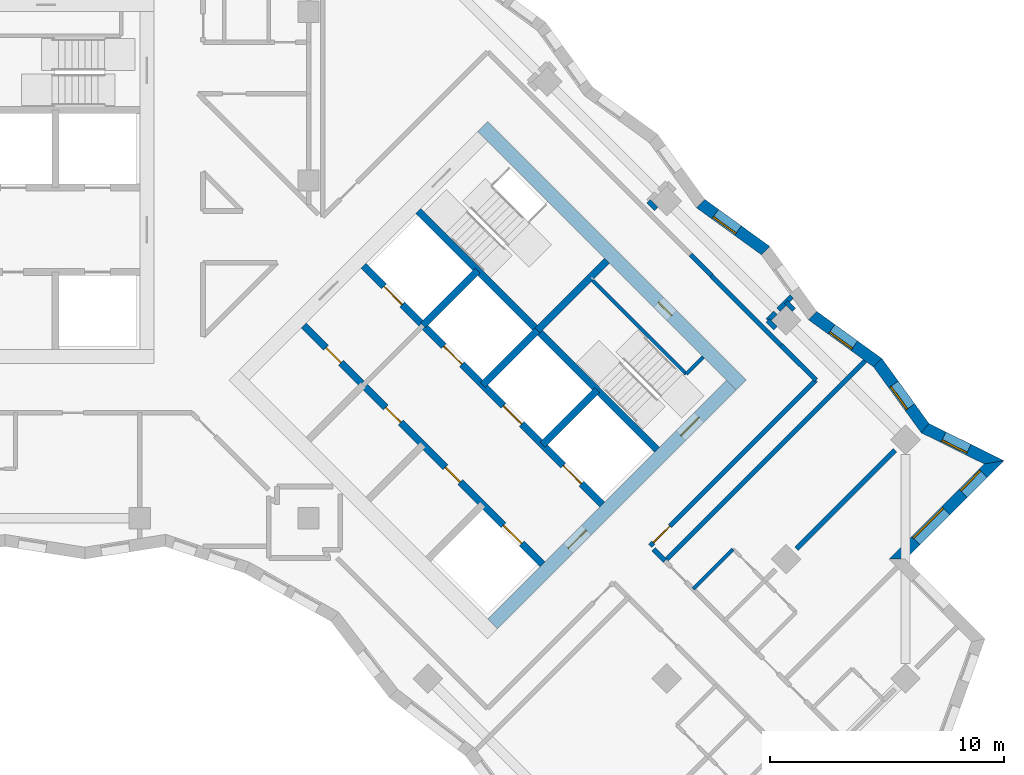
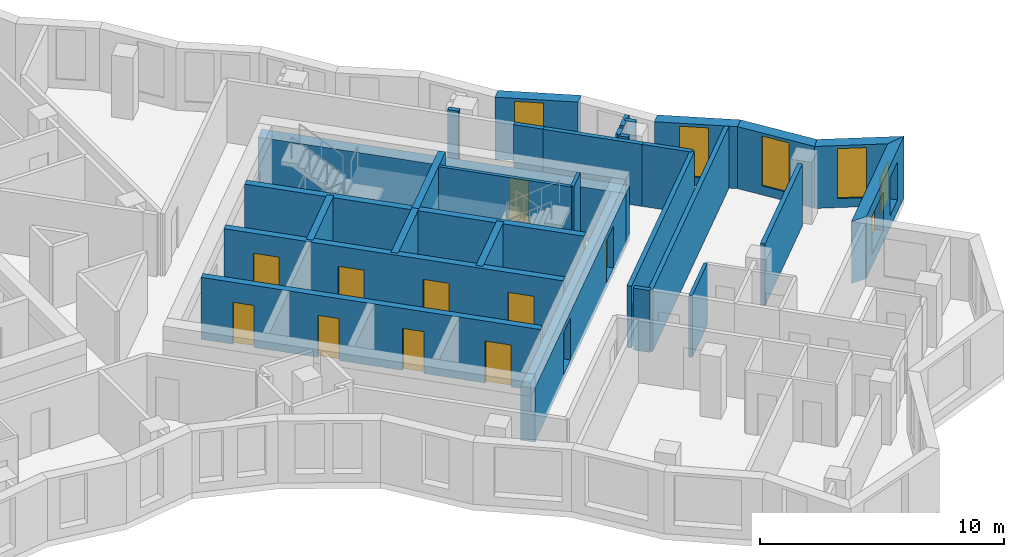
# One storey, part 9 of 12: 30 walls, 12 doors, 6 windows, 18 openings.
"""IFC4 building model written with IfcOpenShell, lengths in metres."""

from ifc_helpers import new_model, si_unit, direction, frame, frame_2d, origin, place, context, subcontext, project, spatial, polyline, rectangle, outline, extrude, material, layer, layer_set, type_object, element, fill, save


model = new_model("IFC4")

# Units and contexts
model_context = context("Model", 3, precision=1e-05, world=origin(), true_north=direction((0.0, 1.0)))
body_context = subcontext(model_context, "Body", "Model", "MODEL_VIEW")
ifc_project = project(units=[si_unit("LENGTHUNIT", "METRE"), si_unit("AREAUNIT", "SQUARE_METRE"), si_unit("VOLUMEUNIT", "CUBIC_METRE"), si_unit("PLANEANGLEUNIT", "RADIAN"), si_unit("MASSUNIT", "GRAM", prefix="KILO")], contexts=[model_context])

# Site, building, storey
site_placement = place(None, origin())
site = spatial("IfcSite", under=ifc_project, at=site_placement, CompositionType="ELEMENT")
building_placement = place(site_placement, origin())
building = spatial("IfcBuilding", under=site, at=building_placement, Name="Windrow Commons", CompositionType="ELEMENT")
storey_placement = place(building_placement, frame((0.0, 0.0, 162.6)))
storey = spatial("IfcBuildingStorey", under=building, at=storey_placement, Name="L44", CompositionType="ELEMENT", Elevation=162.6)

# Wall, openings, windows
ifc_material_1 = material(Name="Brick masonry, red clay brick", Category="masonry")
ifc_layer_1 = layer(ifc_material_1, 0.5)
ifc_layer_set_1 = layer_set([ifc_layer_1], Name="Brick facade wall 500")
wall_type_1 = type_object("IfcWallType", Name="Brick facade wall 500", PredefinedType="SOLIDWALL", material=ifc_layer_set_1)
wall_1_placement = place(storey_placement, frame((104.3022, 41.453, 0.0), z_axis=(0.0, 0.0, 1.0), x_axis=(0.7071153373, 0.707098225, 0.0)))
wall_1 = element("IfcWall", 1, at=wall_1_placement, inside=storey, type_object=wall_type_1, Name="Brick facade wall L44 6", PredefinedType="SOLIDWALL", context=body_context, shape_type="SweptSolid", body=[
    extrude(outline(polyline([(0.25, -0.25), (6.1921, -0.25), (5.4954, 0.25), (-0.25, 0.25), (0.25, -0.25)])), origin(), (0.0, 0.0, 1.0), 3.1),
])
opening_1_placement = place(wall_1_placement, frame((1.125, 0.0, 0.6)))
opening_1 = element("IfcOpeningElement", 2, at=opening_1_placement, cuts=wall_1, Name="Opening W1L", PredefinedType="OPENING", context=body_context, shape_type="SweptSolid", body=[
    extrude(rectangle(XDim=1.8, YDim=1.9, at=frame_2d((0.9, 0.95))), frame((0.0, 0.26, 0.0), z_axis=(0.0, -1.0, 0.0), x_axis=(1.0, 0.0, 0.0)), (0.0, 0.0, 1.0), 0.52),
])
opening_2_placement = place(wall_1_placement, frame((3.9727, 0.0, 0.6)))
opening_2 = element("IfcOpeningElement", 3, at=opening_2_placement, cuts=wall_1, Name="Opening W7G", PredefinedType="OPENING", context=body_context, shape_type="SweptSolid", body=[
    extrude(rectangle(XDim=1.2, YDim=1.9, at=frame_2d((0.6, 0.95))), frame((0.0, 0.26, 0.0), z_axis=(0.0, -1.0, 0.0), x_axis=(1.0, 0.0, 0.0)), (0.0, 0.0, 1.0), 0.52),
])
ifc_material_2 = material(Name="Clear float glass in anodised aluminium frame", Category="aluminium")
window_type_1 = type_object("IfcWindowType", Name="Window W1L bedroom 1800x1900", PartitioningType="SINGLE_PANEL", PredefinedType="WINDOW", material=ifc_material_2)
window_1_placement = place(opening_1_placement, origin())
window_1 = element("IfcWindow", 4, at=window_1_placement, inside=storey, type_object=window_type_1, Name="Window L44 6.1", OverallHeight=1.9, OverallWidth=1.8, PartitioningType="SINGLE_PANEL", PredefinedType="WINDOW", context=body_context, shape_type="SweptSolid", body=[
    extrude(rectangle(XDim=1.8, YDim=1.9, at=frame_2d((0.9, 0.95))), frame((0.0, 0.18, 0.0), z_axis=(0.0, -1.0, 0.0), x_axis=(1.0, 0.0, 0.0)), (0.0, 0.0, 1.0), 0.06),
])
fill(opening_1, window_1)
ifc_material_3 = material(Name="Clear float glass in anodised aluminium frame", Category="aluminium")
window_type_2 = type_object("IfcWindowType", Name="Window W7 notch 1200x1900", PartitioningType="SINGLE_PANEL", PredefinedType="WINDOW", material=ifc_material_3)
window_2_placement = place(opening_2_placement, origin())
window_2 = element("IfcWindow", 5, at=window_2_placement, inside=storey, type_object=window_type_2, Name="Window L44 6.2", OverallHeight=1.9, OverallWidth=1.2, PartitioningType="SINGLE_PANEL", PredefinedType="WINDOW", context=body_context, shape_type="SweptSolid", body=[
    extrude(rectangle(XDim=1.2, YDim=1.9, at=frame_2d((0.6, 0.95))), frame((0.0, 0.18, 0.0), z_axis=(0.0, -1.0, 0.0), x_axis=(1.0, 0.0, 0.0)), (0.0, 0.0, 1.0), 0.06),
])
fill(opening_2, window_2)

# Wall, opening, window
wall_2_placement = place(storey_placement, frame((108.4344, 45.5851, 0.0), z_axis=(0.0, 0.0, 1.0), x_axis=(-0.8962055872, 0.443638981, 0.0)))
wall_2 = element("IfcWall", 6, at=wall_2_placement, inside=storey, type_object=wall_type_1, Name="Brick facade wall L44 7", PredefinedType="SOLIDWALL", context=body_context, shape_type="SweptSolid", body=[
    extrude(outline(polyline([(-0.3483, -0.25), (3.2202, -0.25), (3.3438, 0.25), (0.3483, 0.25), (-0.3483, -0.25)])), origin(), (0.0, 0.0, 1.0), 3.1),
])
opening_3_placement = place(wall_2_placement, frame((1.2152, 0.0, 0.45)))
opening_3 = element("IfcOpeningElement", 7, at=opening_3_placement, cuts=wall_2, Name="Opening W7E", PredefinedType="OPENING", context=body_context, shape_type="SweptSolid", body=[
    extrude(rectangle(XDim=1.2, YDim=2.5, at=frame_2d((0.6, 1.25))), frame((0.0, 0.26, 0.0), z_axis=(0.0, -1.0, 0.0), x_axis=(1.0, 0.0, 0.0)), (0.0, 0.0, 1.0), 0.52),
])
ifc_material_4 = material(Name="Clear float glass in anodised aluminium frame", Category="aluminium")
window_type_3 = type_object("IfcWindowType", Name="Window W7 notch 1200x2500", PartitioningType="SINGLE_PANEL", PredefinedType="WINDOW", material=ifc_material_4)
window_3_placement = place(opening_3_placement, origin())
window_3 = element("IfcWindow", 8, at=window_3_placement, inside=storey, type_object=window_type_3, Name="Window L44 7.1", OverallHeight=2.5, OverallWidth=1.2, PartitioningType="SINGLE_PANEL", PredefinedType="WINDOW", context=body_context, shape_type="SweptSolid", body=[
    extrude(rectangle(XDim=1.2, YDim=2.5, at=frame_2d((0.6, 1.25))), frame((0.0, 0.18, 0.0), z_axis=(0.0, -1.0, 0.0), x_axis=(1.0, 0.0, 0.0)), (0.0, 0.0, 1.0), 0.06),
])
fill(opening_3, window_3)

wall_3_placement = place(storey_placement, frame((105.4931, 47.0411, 0.0), z_axis=(0.0, 0.0, 1.0), x_axis=(-0.5862701639, 0.8101156059, 0.0)))
wall_3 = element("IfcWall", 9, at=wall_3_placement, inside=storey, type_object=wall_type_1, Name="Brick facade wall L44 8", PredefinedType="SOLIDWALL", context=body_context, shape_type="SweptSolid", body=[
    extrude(outline(polyline([(0.0618, -0.25), (3.4858, -0.25), (3.4057, 0.25), (-0.0618, 0.25), (0.0618, -0.25)])), origin(), (0.0, 0.0, 1.0), 3.1),
])
opening_4_placement = place(wall_3_placement, frame((1.1028, 0.0, 0.45)))
opening_4 = element("IfcOpeningElement", 10, at=opening_4_placement, cuts=wall_3, Name="Opening W7E", PredefinedType="OPENING", context=body_context, shape_type="SweptSolid", body=[
    extrude(rectangle(XDim=1.2, YDim=2.5, at=frame_2d((0.6, 1.25))), frame((0.0, 0.26, 0.0), z_axis=(0.0, -1.0, 0.0), x_axis=(1.0, 0.0, 0.0)), (0.0, 0.0, 1.0), 0.52),
])
window_4_placement = place(opening_4_placement, origin())
window_4 = element("IfcWindow", 11, at=window_4_placement, inside=storey, type_object=window_type_3, Name="Window L44 8.1", OverallHeight=2.5, OverallWidth=1.2, PartitioningType="SINGLE_PANEL", PredefinedType="WINDOW", context=body_context, shape_type="SweptSolid", body=[
    extrude(rectangle(XDim=1.2, YDim=2.5, at=frame_2d((0.6, 1.25))), frame((0.0, 0.18, 0.0), z_axis=(0.0, -1.0, 0.0), x_axis=(1.0, 0.0, 0.0)), (0.0, 0.0, 1.0), 0.06),
])
fill(opening_4, window_4)

wall_4_placement = place(storey_placement, frame((103.473, 49.8325, 0.0), z_axis=(0.0, 0.0, 1.0), x_axis=(-0.8101205268, 0.586263364, 0.0)))
wall_4 = element("IfcWall", 12, at=wall_4_placement, inside=storey, type_object=wall_type_1, Name="Brick facade wall L44 9", PredefinedType="SOLIDWALL", context=body_context, shape_type="SweptSolid", body=[
    extrude(outline(polyline([(-0.0401, -0.25), (3.3839, -0.25), (3.4641, 0.25), (0.0401, 0.25), (-0.0401, -0.25)])), origin(), (0.0, 0.0, 1.0), 3.1),
])
opening_5_placement = place(wall_4_placement, frame((1.234, 0.0, 0.45)))
opening_5 = element("IfcOpeningElement", 13, at=opening_5_placement, cuts=wall_4, Name="Opening W7E", PredefinedType="OPENING", context=body_context, shape_type="SweptSolid", body=[
    extrude(rectangle(XDim=1.2, YDim=2.5, at=frame_2d((0.6, 1.25))), frame((0.0, 0.26, 0.0), z_axis=(0.0, -1.0, 0.0), x_axis=(1.0, 0.0, 0.0)), (0.0, 0.0, 1.0), 0.52),
])
window_5_placement = place(opening_5_placement, origin())
window_5 = element("IfcWindow", 14, at=window_5_placement, inside=storey, type_object=window_type_3, Name="Window L44 9.1", OverallHeight=2.5, OverallWidth=1.2, PartitioningType="SINGLE_PANEL", PredefinedType="WINDOW", context=body_context, shape_type="SweptSolid", body=[
    extrude(rectangle(XDim=1.2, YDim=2.5, at=frame_2d((0.6, 1.25))), frame((0.0, 0.18, 0.0), z_axis=(0.0, -1.0, 0.0), x_axis=(1.0, 0.0, 0.0)), (0.0, 0.0, 1.0), 0.06),
])
fill(opening_5, window_5)

wall_5_placement = place(storey_placement, frame((98.6918, 54.6138, 0.0), z_axis=(0.0, 0.0, 1.0), x_axis=(-0.8101343976, 0.5862441964, 0.0)))
wall_5 = element("IfcWall", 15, at=wall_5_placement, inside=storey, type_object=wall_type_1, Name="Brick facade wall L44 11", PredefinedType="SOLIDWALL", context=body_context, shape_type="SweptSolid", body=[
    extrude(outline(polyline([(-0.0401, -0.25), (3.3839, -0.25), (3.4641, 0.25), (0.0401, 0.25), (-0.0401, -0.25)])), origin(), (0.0, 0.0, 1.0), 3.1),
])
opening_6_placement = place(wall_5_placement, frame((1.4559, 0.0, 0.45)))
opening_6 = element("IfcOpeningElement", 16, at=opening_6_placement, cuts=wall_5, Name="Opening W7E", PredefinedType="OPENING", context=body_context, shape_type="SweptSolid", body=[
    extrude(rectangle(XDim=1.2, YDim=2.5, at=frame_2d((0.6, 1.25))), frame((0.0, 0.26, 0.0), z_axis=(0.0, -1.0, 0.0), x_axis=(1.0, 0.0, 0.0)), (0.0, 0.0, 1.0), 0.52),
])
window_6_placement = place(opening_6_placement, origin())
window_6 = element("IfcWindow", 17, at=window_6_placement, inside=storey, type_object=window_type_3, Name="Window L44 11.1", OverallHeight=2.5, OverallWidth=1.2, PartitioningType="SINGLE_PANEL", PredefinedType="WINDOW", context=body_context, shape_type="SweptSolid", body=[
    extrude(rectangle(XDim=1.2, YDim=2.5, at=frame_2d((0.6, 1.25))), frame((0.0, 0.18, 0.0), z_axis=(0.0, -1.0, 0.0), x_axis=(1.0, 0.0, 0.0)), (0.0, 0.0, 1.0), 0.06),
])
fill(opening_6, window_6)

# Wall, opening, door
ifc_material_5 = material(Name="Blockwork partition", Category="masonry")
ifc_layer_2 = layer(ifc_material_5, 0.2)
ifc_layer_set_2 = layer_set([ifc_layer_2], Name="IW-CORRIDOR-200")
wall_type_2 = type_object("IfcWallType", Name="IW-CORRIDOR-200", PredefinedType="PARTITIONING", material=ifc_layer_set_2)
wall_6_placement = place(storey_placement, frame((93.767, 42.021, 0.0), z_axis=(0.0, 0.0, 1.0), x_axis=(0.7071067812, 0.7071067812, 0.0)))
wall_6 = element("IfcWall", 18, at=wall_6_placement, inside=storey, type_object=wall_type_2, Name="W-L44-W012", PredefinedType="PARTITIONING", context=body_context, shape_type="SweptSolid", body=[
    extrude(rectangle(XDim=9.9985, YDim=0.2, at=frame_2d((4.9992, 0.0))), origin(), (0.0, 0.0, 1.0), 3.1),
])
opening_7_placement = place(wall_6_placement, frame((0.1964, 0.0, 0.0)))
opening_7 = element("IfcOpeningElement", 19, at=opening_7_placement, cuts=wall_6, Name="Opening D310F", PredefinedType="OPENING", context=body_context, shape_type="SweptSolid", body=[
    extrude(rectangle(XDim=1.0, YDim=2.1, at=frame_2d((0.5, 1.05))), frame((0.0, 0.11, 0.0), z_axis=(0.0, -1.0, 0.0), x_axis=(1.0, 0.0, 0.0)), (0.0, 0.0, 1.0), 0.22),
])
ifc_material_6 = material(Name="Timber door leaf", Category="wood")
door_type_1 = type_object("IfcDoorType", Name="DT-AMENITY-1000", OperationType="SINGLE_SWING_LEFT", PredefinedType="DOOR", material=ifc_material_6)
door_1_placement = place(opening_7_placement, origin())
door_1 = element("IfcDoor", 20, at=door_1_placement, inside=storey, type_object=door_type_1, Name="D-L44-D041", OperationType="SINGLE_SWING_LEFT", OverallHeight=2.1, OverallWidth=1.0, PredefinedType="DOOR", context=body_context, shape_type="SweptSolid", body=[
    extrude(rectangle(XDim=1.0, YDim=2.1, at=frame_2d((0.5, 1.05))), frame((0.0, 0.025, 0.0), z_axis=(0.0, -1.0, 0.0), x_axis=(1.0, 0.0, 0.0)), (0.0, 0.0, 1.0), 0.05),
])
fill(opening_7, door_1)

# Walls
wall_7_placement = place(storey_placement, frame((96.3794, 53.5414, 0.0), z_axis=(0.0, 0.0, 1.0), x_axis=(0.7071067812, -0.7071067812, 0.0)))
element("IfcWall", 21, at=wall_7_placement, inside=storey, type_object=wall_type_2, Name="W-L44-W040", PredefinedType="PARTITIONING", context=body_context, shape_type="SweptSolid", body=[
    extrude(rectangle(XDim=4.2002, YDim=0.2, at=frame_2d((2.1001, 0.0))), origin(), (0.0, 0.0, 1.0), 3.1),
])
wall_8_placement = place(storey_placement, frame((99.3517, 50.5737, 0.0), z_axis=(0.0, 0.0, 1.0), x_axis=(0.7075827869, -0.7066304548, 0.0)))
element("IfcWall", 22, at=wall_8_placement, inside=storey, type_object=wall_type_2, Name="W-L44-W112", PredefinedType="PARTITIONING", context=body_context, shape_type="SweptSolid", body=[
    extrude(rectangle(XDim=2.1001, YDim=0.2, at=frame_2d((1.05, 0.0))), origin(), (0.0, 0.0, 1.0), 3.1),
])
wall_9_placement = place(storey_placement, frame((95.4937, 54.4377, 0.0), z_axis=(0.0, 0.0, 1.0), x_axis=(0.706312726, -0.7078999456, 0.0)))
element("IfcWall", 23, at=wall_9_placement, inside=storey, type_object=wall_type_2, Name="W-L44-W138", PredefinedType="PARTITIONING", context=body_context, shape_type="SweptSolid", body=[
    extrude(rectangle(XDim=1.2601, YDim=0.2, at=frame_2d((0.63, 0.0))), origin(), (0.0, 0.0, 1.0), 3.1),
])
wall_10_placement = place(storey_placement, frame((93.9085, 41.8785, 0.0), z_axis=(0.0, 0.0, 1.0), x_axis=(0.7056768426, -0.7085338339, 0.0)))
element("IfcWall", 24, at=wall_10_placement, inside=storey, type_object=wall_type_2, Name="W-L44-W157", PredefinedType="PARTITIONING", context=body_context, shape_type="SweptSolid", body=[
    extrude(rectangle(XDim=0.7, YDim=0.2, at=frame_2d((0.35, 0.0))), origin(), (0.0, 0.0, 1.0), 3.1),
])
ifc_material_7 = material(Name="Blockwork partition", Category="masonry")
ifc_layer_3 = layer(ifc_material_7, 0.15)
ifc_layer_set_3 = layer_set([ifc_layer_3], Name="IW-ENSUITE-150")
wall_type_3 = type_object("IfcWallType", Name="IW-ENSUITE-150", PredefinedType="PARTITIONING", material=ifc_layer_set_3)
wall_11_placement = place(storey_placement, frame((95.6035, 40.1805, 0.0), z_axis=(0.0, 0.0, 1.0), x_axis=(0.7071067812, 0.7071067812, 0.0)))
element("IfcWall", 25, at=wall_11_placement, inside=storey, type_object=wall_type_3, Name="W-L44-W069", PredefinedType="PARTITIONING", context=body_context, shape_type="SweptSolid", body=[
    extrude(rectangle(XDim=2.4013, YDim=0.15, at=frame_2d((1.2006, 0.0))), origin(), (0.0, 0.0, 1.0), 3.1),
])
ifc_material_8 = material(Name="Blockwork partition", Category="masonry")
ifc_layer_4 = layer(ifc_material_8, 0.2)
ifc_layer_set_4 = layer_set([ifc_layer_4], Name="IW-PARTY-200")
wall_type_4 = type_object("IfcWallType", Name="IW-PARTY-200", PredefinedType="PARTITIONING", material=ifc_layer_set_4)
wall_12_placement = place(storey_placement, frame((94.4014, 41.3826, 0.0), z_axis=(0.0, 0.0, 1.0), x_axis=(0.7071067812, 0.7071067812, 0.0)))
element("IfcWall", 26, at=wall_12_placement, inside=storey, type_object=wall_type_4, Name="W-L44-W007", PredefinedType="PARTITIONING", context=body_context, shape_type="SweptSolid", body=[
    extrude(rectangle(XDim=12.0659, YDim=0.2, at=frame_2d((6.0329, 0.0))), origin(), (0.0, 0.0, 1.0), 3.1),
])
wall_13_placement = place(storey_placement, frame((100.013, 41.903, 0.0), z_axis=(0.0, 0.0, 1.0), x_axis=(0.7071067812, 0.7071067812, 0.0)))
element("IfcWall", 27, at=wall_13_placement, inside=storey, type_object=wall_type_4, Name="W-L44-W028", PredefinedType="PARTITIONING", context=body_context, shape_type="SweptSolid", body=[
    extrude(rectangle(XDim=5.9284, YDim=0.2, at=frame_2d((2.9642, 0.0))), origin(), (0.0, 0.0, 1.0), 3.1),
])
for number, where, z_axis, x_axis, name in (
    (28, (93.6925, 56.7225, 0.0), (0.0, 0.0, 1.0), (0.7092398187, -0.7049672897, 0.0), "W-L44-W183"),
    (29, (99.5696, 52.4176, 0.0), (0.0, 0.0, 1.0), (0.7092398187, -0.7049672897, 0.0), "W-L44-W184"),
    (30, (98.7837, 51.6317, 0.0), (0.0, 0.0, 1.0), (0.7049672897, -0.7092398187, 0.0), "W-L44-W185"),
):
    element("IfcWall", number, at=place(storey_placement, frame(where, z_axis=z_axis, x_axis=x_axis)), inside=storey, type_object=wall_type_4, Name=name, PredefinedType="PARTITIONING", context=body_context, shape_type="SweptSolid", body=[
        extrude(rectangle(XDim=0.4681, YDim=0.2, at=frame_2d((0.2341, 0.0))), origin(), (0.0, 0.0, 1.0), 3.1),
    ])
wall_14_placement = place(storey_placement, frame((98.7829, 51.6331, 0.0), z_axis=(0.0, 0.0, 1.0), x_axis=(0.7071067812, 0.7071067812, 0.0)))
element("IfcWall", 31, at=wall_14_placement, inside=storey, type_object=wall_type_4, Name="W-L44-W186", PredefinedType="PARTITIONING", context=body_context, shape_type="SweptSolid", body=[
    extrude(rectangle(XDim=0.4667, YDim=0.2, at=frame_2d((0.2334, 0.0))), origin(), (0.0, 0.0, 1.0), 3.1),
])
wall_15_placement = place(storey_placement, frame((99.2369, 52.0871, 0.0), z_axis=(0.0, 0.0, 1.0), x_axis=(0.7071067812, 0.7071067812, 0.0)))
element("IfcWall", 32, at=wall_15_placement, inside=storey, type_object=wall_type_4, Name="W-L44-W187", PredefinedType="PARTITIONING", context=body_context, shape_type="SweptSolid", body=[
    extrude(rectangle(XDim=0.7997, YDim=0.2, at=frame_2d((0.3998, 0.0))), origin(), (0.0, 0.0, 1.0), 3.1),
])

# Wall, opening, door
ifc_material_9 = material(Name="Concrete C50/60", Category="concrete")
ifc_layer_5 = layer(ifc_material_9, 0.6)
ifc_layer_set_5 = layer_set([ifc_layer_5], Name="RC CORE WALL 600 C50/60")
wall_type_5 = type_object("IfcWallType", Name="RC CORE WALL 600 C50/60", PredefinedType="SHEAR", material=ifc_layer_set_5)
wall_16_placement = place(storey_placement, frame((86.6246, 59.9085, -0.3), z_axis=(0.0, 0.0, 1.0), x_axis=(0.7071067812, -0.7071067812, 0.0)))
wall_16 = element("IfcWall", 33, at=wall_16_placement, inside=storey, type_object=wall_type_5, Name="Core B wall outer-N", PredefinedType="SHEAR", context=body_context, shape_type="SweptSolid", body=[
    extrude(rectangle(XDim=15.6, YDim=0.6, at=frame_2d((7.8, 0.0))), origin(), (0.0, 0.0, 1.0), 2.7),
])
opening_8_placement = place(wall_16_placement, frame((10.6, 0.0, 0.3)))
opening_8 = element("IfcOpeningElement", 34, at=opening_8_placement, cuts=wall_16, Name="Opening D9", PredefinedType="OPENING", context=body_context, shape_type="SweptSolid", body=[
    extrude(rectangle(XDim=0.8, YDim=2.1, at=frame_2d((0.4, 1.05))), frame((0.0, 0.31, 0.0), z_axis=(0.0, -1.0, 0.0), x_axis=(1.0, 0.0, 0.0)), (0.0, 0.0, 1.0), 0.62),
])
ifc_material_10 = material(Name="Steel fire door leaf", Category="steel")
door_type_2 = type_object("IfcDoorType", Name="Riser access door 800", OperationType="SINGLE_SWING_LEFT", PredefinedType="DOOR", material=ifc_material_10)
door_2_placement = place(opening_8_placement, origin())
door_2 = element("IfcDoor", 35, at=door_2_placement, inside=storey, type_object=door_type_2, Name="Riser access door", OperationType="SINGLE_SWING_RIGHT", OverallHeight=2.1, OverallWidth=0.8, PredefinedType="DOOR", context=body_context, shape_type="SweptSolid", body=[
    extrude(rectangle(XDim=0.8, YDim=2.1, at=frame_2d((0.4, 1.05))), frame((0.0, 0.025, 0.0), z_axis=(0.0, -1.0, 0.0), x_axis=(1.0, 0.0, 0.0)), (0.0, 0.0, 1.0), 0.05),
])
fill(opening_8, door_2)

# Wall, openings, doors
wall_17_placement = place(storey_placement, frame((87.0489, 38.6953, -0.3), z_axis=(0.0, 0.0, 1.0), x_axis=(0.7071067812, 0.7071067812, 0.0)))
wall_17 = element("IfcWall", 36, at=wall_17_placement, inside=storey, type_object=wall_type_5, Name="Core B wall outer-E", PredefinedType="SHEAR", context=body_context, shape_type="SweptSolid", body=[
    extrude(rectangle(XDim=14.3999, YDim=0.6, at=frame_2d((7.2, 0.0))), origin(), (0.0, 0.0, 1.0), 2.7),
])
opening_9_placement = place(wall_17_placement, frame((4.55, 0.0, 0.3)))
opening_9 = element("IfcOpeningElement", 37, at=opening_9_placement, cuts=wall_17, Name="Opening D6", PredefinedType="OPENING", context=body_context, shape_type="SweptSolid", body=[
    extrude(rectangle(XDim=1.1, YDim=2.1, at=frame_2d((0.55, 1.05))), frame((0.0, 0.31, 0.0), z_axis=(0.0, -1.0, 0.0), x_axis=(1.0, 0.0, 0.0)), (0.0, 0.0, 1.0), 0.62),
])
opening_10_placement = place(wall_17_placement, frame((11.35, 0.0, 0.3)))
opening_10 = element("IfcOpeningElement", 38, at=opening_10_placement, cuts=wall_17, Name="Opening D7", PredefinedType="OPENING", context=body_context, shape_type="SweptSolid", body=[
    extrude(rectangle(XDim=1.1, YDim=2.1, at=frame_2d((0.55, 1.05))), frame((0.0, 0.31, 0.0), z_axis=(0.0, -1.0, 0.0), x_axis=(1.0, 0.0, 0.0)), (0.0, 0.0, 1.0), 0.62),
])
ifc_material_11 = material(Name="Steel fire door leaf", Category="steel")
door_type_3 = type_object("IfcDoorType", Name="Core lobby door 1100", OperationType="SINGLE_SWING_LEFT", PredefinedType="DOOR", material=ifc_material_11)
door_3_placement = place(opening_9_placement, origin())
door_3 = element("IfcDoor", 39, at=door_3_placement, inside=storey, type_object=door_type_3, Name="Lift lobby door", OperationType="DOUBLE_DOOR_SINGLE_SWING", OverallHeight=2.1, OverallWidth=1.1, PredefinedType="DOOR", context=body_context, shape_type="SweptSolid", body=[
    extrude(rectangle(XDim=1.1, YDim=2.1, at=frame_2d((0.55, 1.05))), frame((0.0, 0.025, 0.0), z_axis=(0.0, -1.0, 0.0), x_axis=(1.0, 0.0, 0.0)), (0.0, 0.0, 1.0), 0.05),
])
fill(opening_9, door_3)
ifc_material_12 = material(Name="Steel fire door leaf", Category="steel")
door_type_4 = type_object("IfcDoorType", Name="Stair door 1100", OperationType="SINGLE_SWING_LEFT", PredefinedType="DOOR", material=ifc_material_12)
door_4_placement = place(opening_10_placement, origin())
door_4 = element("IfcDoor", 40, at=door_4_placement, inside=storey, type_object=door_type_4, Name="Stair door", OperationType="SINGLE_SWING_RIGHT", OverallHeight=2.1, OverallWidth=1.1, PredefinedType="DOOR", context=body_context, shape_type="SweptSolid", body=[
    extrude(rectangle(XDim=1.1, YDim=2.1, at=frame_2d((0.55, 1.05))), frame((0.0, 0.025, 0.0), z_axis=(0.0, -1.0, 0.0), x_axis=(1.0, 0.0, 0.0)), (0.0, 0.0, 1.0), 0.05),
])
fill(opening_10, door_4)

# Walls
ifc_material_13 = material(Name="Concrete C50/60", Category="concrete")
ifc_layer_6 = layer(ifc_material_13, 0.3)
ifc_layer_set_6 = layer_set([ifc_layer_6], Name="RC SHAFT WALL 300 C50/60")
wall_type_6 = type_object("IfcWallType", Name="RC SHAFT WALL 300 C50/60", PredefinedType="SOLIDWALL", material=ifc_layer_set_6)
wall_18_placement = place(storey_placement, frame((84.079, 51.4232, 0.0), z_axis=(0.0, 0.0, 1.0), x_axis=(0.7071219326, 0.7070916295, 0.0)))
element("IfcWall", 41, at=wall_18_placement, inside=storey, type_object=wall_type_6, Name="Core B wall shaft-N1", PredefinedType="SOLIDWALL", context=body_context, shape_type="SweptSolid", body=[
    extrude(rectangle(XDim=3.3, YDim=0.3, at=frame_2d((1.65, 0.0))), origin(), (0.0, 0.0, 1.0), 3.1),
])
for number, where, z_axis, x_axis, name in (
    (42, (86.6246, 48.8776, 0.0), (0.0, 0.0, 1.0), (0.7071067812, 0.7071067812, 0.0), "Core B wall shaft-N2"),
    (43, (89.1702, 46.332, 0.0), (0.0, 0.0, 1.0), (0.7071067812, 0.7071067812, 0.0), "Core B wall shaft-N3"),
):
    element("IfcWall", number, at=place(storey_placement, frame(where, z_axis=z_axis, x_axis=x_axis)), inside=storey, type_object=wall_type_6, Name=name, PredefinedType="SOLIDWALL", context=body_context, shape_type="SweptSolid", body=[
        extrude(rectangle(XDim=3.3001, YDim=0.3, at=frame_2d((1.6501, 0.0))), origin(), (0.0, 0.0, 1.0), 3.1),
    ])

# Wall, openings, doors
wall_19_placement = place(storey_placement, frame((78.9879, 51.4232, 0.0), z_axis=(0.0, 0.0, 1.0), x_axis=(0.7071067812, -0.7071067812, 0.0)))
wall_19 = element("IfcWall", 44, at=wall_19_placement, inside=storey, type_object=wall_type_6, Name="Core B wall lobby-S", PredefinedType="SOLIDWALL", context=body_context, shape_type="SweptSolid", body=[
    extrude(rectangle(XDim=14.3999, YDim=0.3, at=frame_2d((7.2, 0.0))), origin(), (0.0, 0.0, 1.0), 3.1),
])
opening_11_placement = place(wall_19_placement, frame((1.35, 0.0, 0.0)))
opening_11 = element("IfcOpeningElement", 45, at=opening_11_placement, cuts=wall_19, Name="Opening D8", PredefinedType="OPENING", context=body_context, shape_type="SweptSolid", body=[
    extrude(rectangle(XDim=0.9, YDim=2.1, at=frame_2d((0.45, 1.05))), frame((0.0, 0.16, 0.0), z_axis=(0.0, -1.0, 0.0), x_axis=(1.0, 0.0, 0.0)), (0.0, 0.0, 1.0), 0.32),
])
opening_12_placement = place(wall_19_placement, frame((4.95, 0.0, 0.0)))
opening_12 = element("IfcOpeningElement", 46, at=opening_12_placement, cuts=wall_19, Name="Opening D8", PredefinedType="OPENING", context=body_context, shape_type="SweptSolid", body=[
    extrude(rectangle(XDim=0.9, YDim=2.1, at=frame_2d((0.45, 1.05))), frame((0.0, 0.16, 0.0), z_axis=(0.0, -1.0, 0.0), x_axis=(1.0, 0.0, 0.0)), (0.0, 0.0, 1.0), 0.32),
])
opening_13_placement = place(wall_19_placement, frame((8.55, 0.0, 0.0)))
opening_13 = element("IfcOpeningElement", 47, at=opening_13_placement, cuts=wall_19, Name="Opening D8", PredefinedType="OPENING", context=body_context, shape_type="SweptSolid", body=[
    extrude(rectangle(XDim=0.9, YDim=2.1, at=frame_2d((0.45, 1.05))), frame((0.0, 0.16, 0.0), z_axis=(0.0, -1.0, 0.0), x_axis=(1.0, 0.0, 0.0)), (0.0, 0.0, 1.0), 0.32),
])
opening_14_placement = place(wall_19_placement, frame((12.05, 0.0, 0.0)))
opening_14 = element("IfcOpeningElement", 48, at=opening_14_placement, cuts=wall_19, Name="Opening LD", PredefinedType="OPENING", context=body_context, shape_type="SweptSolid", body=[
    extrude(rectangle(XDim=1.1, YDim=2.1, at=frame_2d((0.55, 1.05))), frame((0.0, 0.16, 0.0), z_axis=(0.0, -1.0, 0.0), x_axis=(1.0, 0.0, 0.0)), (0.0, 0.0, 1.0), 0.32),
])
ifc_material_14 = material(Name="Steel fire door leaf", Category="steel")
door_type_5 = type_object("IfcDoorType", Name="Core store door 900", OperationType="SINGLE_SWING_LEFT", PredefinedType="DOOR", material=ifc_material_14)
door_5_placement = place(opening_11_placement, origin())
door_5 = element("IfcDoor", 49, at=door_5_placement, inside=storey, type_object=door_type_5, Name="Store door", OperationType="SINGLE_SWING_LEFT", OverallHeight=2.1, OverallWidth=0.9, PredefinedType="DOOR", context=body_context, shape_type="SweptSolid", body=[
    extrude(rectangle(XDim=0.9, YDim=2.1, at=frame_2d((0.45, 1.05))), frame((0.0, 0.025, 0.0), z_axis=(0.0, -1.0, 0.0), x_axis=(1.0, 0.0, 0.0)), (0.0, 0.0, 1.0), 0.05),
])
fill(opening_11, door_5)
door_6_placement = place(opening_12_placement, origin())
door_6 = element("IfcDoor", 50, at=door_6_placement, inside=storey, type_object=door_type_5, Name="Store door", OperationType="SINGLE_SWING_LEFT", OverallHeight=2.1, OverallWidth=0.9, PredefinedType="DOOR", context=body_context, shape_type="SweptSolid", body=[
    extrude(rectangle(XDim=0.9, YDim=2.1, at=frame_2d((0.45, 1.05))), frame((0.0, 0.025, 0.0), z_axis=(0.0, -1.0, 0.0), x_axis=(1.0, 0.0, 0.0)), (0.0, 0.0, 1.0), 0.05),
])
fill(opening_12, door_6)
door_7_placement = place(opening_13_placement, origin())
door_7 = element("IfcDoor", 51, at=door_7_placement, inside=storey, type_object=door_type_5, Name="Store door", OperationType="SINGLE_SWING_LEFT", OverallHeight=2.1, OverallWidth=0.9, PredefinedType="DOOR", context=body_context, shape_type="SweptSolid", body=[
    extrude(rectangle(XDim=0.9, YDim=2.1, at=frame_2d((0.45, 1.05))), frame((0.0, 0.025, 0.0), z_axis=(0.0, -1.0, 0.0), x_axis=(1.0, 0.0, 0.0)), (0.0, 0.0, 1.0), 0.05),
])
fill(opening_13, door_7)
ifc_material_15 = material(Name="Stainless steel door leaf", Category="steel")
door_type_6 = type_object("IfcDoorType", Name="Lift landing door 1100", OperationType="SLIDING_TO_LEFT", PredefinedType="DOOR", material=ifc_material_15)
door_8_placement = place(opening_14_placement, origin())
door_8 = element("IfcDoor", 52, at=door_8_placement, inside=storey, type_object=door_type_6, Name="Lift landing door", OperationType="SLIDING_TO_RIGHT", OverallHeight=2.1, OverallWidth=1.1, PredefinedType="DOOR", context=body_context, shape_type="SweptSolid", body=[
    extrude(rectangle(XDim=1.1, YDim=2.1, at=frame_2d((0.55, 1.05))), frame((0.0, 0.025, 0.0), z_axis=(0.0, -1.0, 0.0), x_axis=(1.0, 0.0, 0.0)), (0.0, 0.0, 1.0), 0.05),
])
fill(opening_14, door_8)

wall_20_placement = place(storey_placement, frame((81.5335, 53.9688, 0.0), z_axis=(0.0, 0.0, 1.0), x_axis=(0.707103309, -0.7071102534, 0.0)))
wall_20 = element("IfcWall", 53, at=wall_20_placement, inside=storey, type_object=wall_type_6, Name="Core B wall lobby-N", PredefinedType="SOLIDWALL", context=body_context, shape_type="SweptSolid", body=[
    extrude(rectangle(XDim=14.4, YDim=0.3, at=frame_2d((7.2, 0.0))), origin(), (0.0, 0.0, 1.0), 3.1),
])
opening_15_placement = place(wall_20_placement, frame((1.25, 0.0, 0.0)))
opening_15 = element("IfcOpeningElement", 54, at=opening_15_placement, cuts=wall_20, Name="Opening LD", PredefinedType="OPENING", context=body_context, shape_type="SweptSolid", body=[
    extrude(rectangle(XDim=1.1, YDim=2.1, at=frame_2d((0.55, 1.05))), frame((0.0, 0.16, 0.0), z_axis=(0.0, -1.0, 0.0), x_axis=(1.0, 0.0, 0.0)), (0.0, 0.0, 1.0), 0.32),
])
opening_16_placement = place(wall_20_placement, frame((4.85, 0.0, 0.0)))
opening_16 = element("IfcOpeningElement", 55, at=opening_16_placement, cuts=wall_20, Name="Opening LD", PredefinedType="OPENING", context=body_context, shape_type="SweptSolid", body=[
    extrude(rectangle(XDim=1.1, YDim=2.1, at=frame_2d((0.55, 1.05))), frame((0.0, 0.16, 0.0), z_axis=(0.0, -1.0, 0.0), x_axis=(1.0, 0.0, 0.0)), (0.0, 0.0, 1.0), 0.32),
])
opening_17_placement = place(wall_20_placement, frame((8.45, 0.0, 0.0)))
opening_17 = element("IfcOpeningElement", 56, at=opening_17_placement, cuts=wall_20, Name="Opening LD", PredefinedType="OPENING", context=body_context, shape_type="SweptSolid", body=[
    extrude(rectangle(XDim=1.1, YDim=2.1, at=frame_2d((0.55, 1.05))), frame((0.0, 0.16, 0.0), z_axis=(0.0, -1.0, 0.0), x_axis=(1.0, 0.0, 0.0)), (0.0, 0.0, 1.0), 0.32),
])
opening_18_placement = place(wall_20_placement, frame((12.05, 0.0, 0.0)))
opening_18 = element("IfcOpeningElement", 57, at=opening_18_placement, cuts=wall_20, Name="Opening LD", PredefinedType="OPENING", context=body_context, shape_type="SweptSolid", body=[
    extrude(rectangle(XDim=1.1, YDim=2.1, at=frame_2d((0.55, 1.05))), frame((0.0, 0.16, 0.0), z_axis=(0.0, -1.0, 0.0), x_axis=(1.0, 0.0, 0.0)), (0.0, 0.0, 1.0), 0.32),
])
door_9_placement = place(opening_15_placement, origin())
door_9 = element("IfcDoor", 58, at=door_9_placement, inside=storey, type_object=door_type_6, Name="Lift landing door", OperationType="SLIDING_TO_LEFT", OverallHeight=2.1, OverallWidth=1.1, PredefinedType="DOOR", context=body_context, shape_type="SweptSolid", body=[
    extrude(rectangle(XDim=1.1, YDim=2.1, at=frame_2d((0.55, 1.05))), frame((0.0, 0.025, 0.0), z_axis=(0.0, -1.0, 0.0), x_axis=(1.0, 0.0, 0.0)), (0.0, 0.0, 1.0), 0.05),
])
fill(opening_15, door_9)
door_10_placement = place(opening_16_placement, origin())
door_10 = element("IfcDoor", 59, at=door_10_placement, inside=storey, type_object=door_type_6, Name="Lift landing door", OperationType="SLIDING_TO_RIGHT", OverallHeight=2.1, OverallWidth=1.1, PredefinedType="DOOR", context=body_context, shape_type="SweptSolid", body=[
    extrude(rectangle(XDim=1.1, YDim=2.1, at=frame_2d((0.55, 1.05))), frame((0.0, 0.025, 0.0), z_axis=(0.0, -1.0, 0.0), x_axis=(1.0, 0.0, 0.0)), (0.0, 0.0, 1.0), 0.05),
])
fill(opening_16, door_10)
door_11_placement = place(opening_17_placement, origin())
door_11 = element("IfcDoor", 60, at=door_11_placement, inside=storey, type_object=door_type_6, Name="Lift landing door", OperationType="SLIDING_TO_LEFT", OverallHeight=2.1, OverallWidth=1.1, PredefinedType="DOOR", context=body_context, shape_type="SweptSolid", body=[
    extrude(rectangle(XDim=1.1, YDim=2.1, at=frame_2d((0.55, 1.05))), frame((0.0, 0.025, 0.0), z_axis=(0.0, -1.0, 0.0), x_axis=(1.0, 0.0, 0.0)), (0.0, 0.0, 1.0), 0.05),
])
fill(opening_17, door_11)
door_12_placement = place(opening_18_placement, origin())
door_12 = element("IfcDoor", 61, at=door_12_placement, inside=storey, type_object=door_type_6, Name="Lift landing door", OperationType="SLIDING_TO_RIGHT", OverallHeight=2.1, OverallWidth=1.1, PredefinedType="DOOR", context=body_context, shape_type="SweptSolid", body=[
    extrude(rectangle(XDim=1.1, YDim=2.1, at=frame_2d((0.55, 1.05))), frame((0.0, 0.025, 0.0), z_axis=(0.0, -1.0, 0.0), x_axis=(1.0, 0.0, 0.0)), (0.0, 0.0, 1.0), 0.05),
])
fill(opening_18, door_12)

# Walls
for number, where, z_axis, x_axis, name in (
    (62, (83.8669, 56.3022, 0.0), (0.0, 0.0, 1.0), (0.7071137256, -0.7070998367, 0.0), "Core B wall stair-S"),
    (63, (88.9581, 51.2111, 0.0), (0.0, 0.0, 1.0), (0.7070998367, -0.7071137256, 0.0), "Core B wall stair-S2"),
):
    element("IfcWall", number, at=place(storey_placement, frame(where, z_axis=z_axis, x_axis=x_axis)), inside=storey, type_object=wall_type_6, Name=name, PredefinedType="SOLIDWALL", context=body_context, shape_type="SweptSolid", body=[
        extrude(rectangle(XDim=7.2, YDim=0.3, at=frame_2d((3.6, 0.0))), origin(), (0.0, 0.0, 1.0), 3.1),
    ])
wall_21_placement = place(storey_placement, frame((88.9581, 51.2111, 0.0), z_axis=(0.0, 0.0, 1.0), x_axis=(0.7071067812, 0.7071067812, 0.0)))
element("IfcWall", 64, at=wall_21_placement, inside=storey, type_object=wall_type_6, Name="Core B wall stair-mid", PredefinedType="SOLIDWALL", context=body_context, shape_type="SweptSolid", body=[
    extrude(rectangle(XDim=4.1999, YDim=0.3, at=frame_2d((2.1, 0.0))), origin(), (0.0, 0.0, 1.0), 3.1),
])
ifc_material_16 = material(Name="Blockwork partition", Category="masonry")
ifc_layer_7 = layer(ifc_material_16, 0.15)
ifc_layer_set_7 = layer_set([ifc_layer_7], Name="Riser partition 150")
wall_type_7 = type_object("IfcWallType", Name="Riser partition 150", PredefinedType="PARTITIONING", material=ifc_layer_set_7)
wall_22_placement = place(storey_placement, frame((91.3127, 53.3536, 0.0), z_axis=(0.0, 0.0, 1.0), x_axis=(0.7071067812, -0.7071067812, 0.0)))
element("IfcWall", 65, at=wall_22_placement, inside=storey, type_object=wall_type_7, Name="W-core-strip-B-L44", PredefinedType="PARTITIONING", context=body_context, shape_type="SweptSolid", body=[
    extrude(rectangle(XDim=5.6501, YDim=0.15, at=frame_2d((2.8251, 0.0))), origin(), (0.0, 0.0, 1.0), 3.1),
])
wall_23_placement = place(storey_placement, frame((95.3079, 49.3584, 0.0), z_axis=(0.0, 0.0, 1.0), x_axis=(0.70705776, 0.707155799, 0.0)))
element("IfcWall", 66, at=wall_23_placement, inside=storey, type_object=wall_type_7, Name="W-core-stripx-B-L44-1", PredefinedType="PARTITIONING", context=body_context, shape_type="SweptSolid", body=[
    extrude(rectangle(XDim=1.02, YDim=0.15, at=frame_2d((0.51, 0.0))), origin(), (0.0, 0.0, 1.0), 3.1),
])

save(model, "model.ifc")
